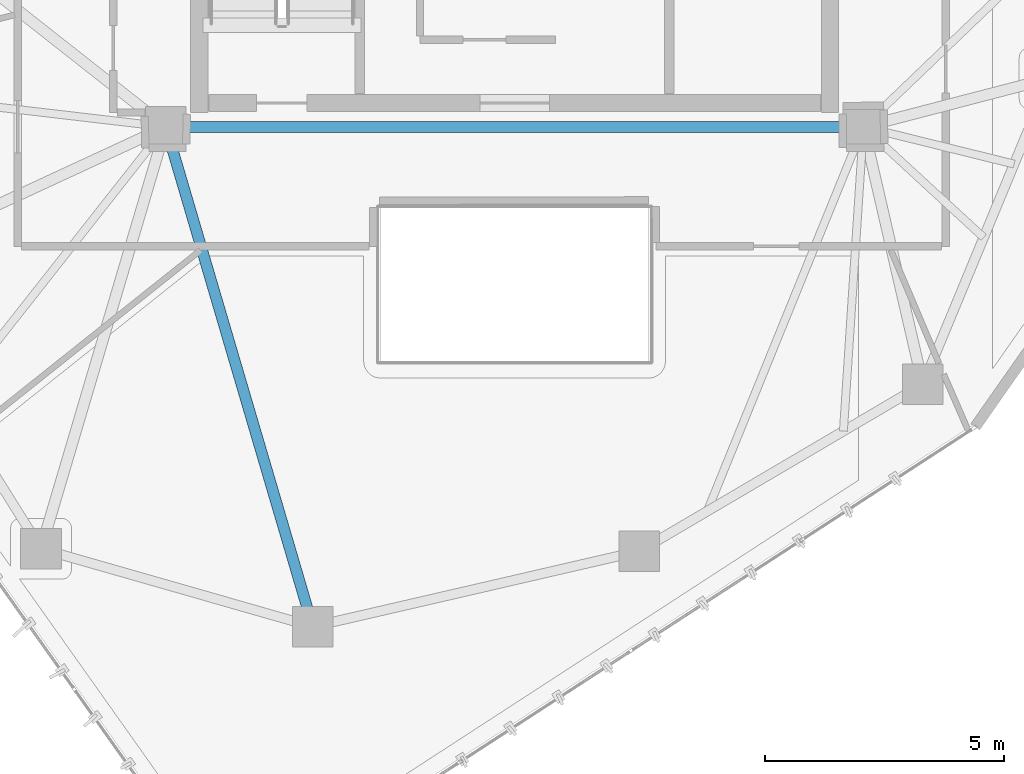
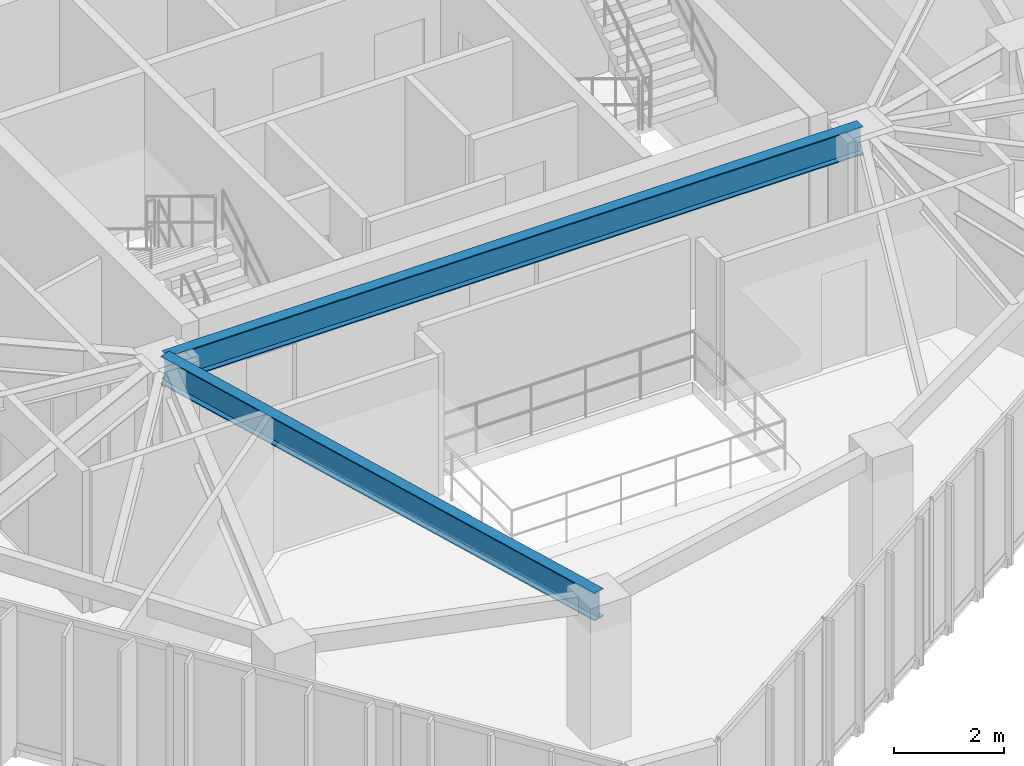
# One storey, part 5 of 20: 2 beams.
"""IFC4 building model written with IfcOpenShell, lengths in metres."""

from ifc_helpers import new_model, si_unit, direction, frame, origin, origin_2d, place, context, subcontext, project, spatial, i_section, extrude, material, material_profile, profile_set, type_object, element, save


model = new_model("IFC4")

# Units and contexts
model_context = context("Model", 3, precision=1e-05, world=origin(), true_north=direction((0.0, 1.0)))
body_context = subcontext(model_context, "Body", "Model", "MODEL_VIEW")
ifc_project = project(units=[si_unit("LENGTHUNIT", "METRE"), si_unit("AREAUNIT", "SQUARE_METRE"), si_unit("VOLUMEUNIT", "CUBIC_METRE"), si_unit("PLANEANGLEUNIT", "RADIAN"), si_unit("MASSUNIT", "GRAM", prefix="KILO")], contexts=[model_context])

# Site, building, storey
site_placement = place(None, origin())
site = spatial("IfcSite", under=ifc_project, at=site_placement, CompositionType="ELEMENT")
building_placement = place(site_placement, origin())
building = spatial("IfcBuilding", under=site, at=building_placement, Name="Talar Marvaseh", CompositionType="ELEMENT")
storey_placement = place(building_placement, frame((0.0, 0.0, 247.60009765625)))
storey = spatial("IfcBuildingStorey", under=building, at=storey_placement, Name="L65", CompositionType="ELEMENT", Elevation=247.60009765625)

# Beams
ifc_material = material(Name="Steel S355", Category="steel")
ifc_material_profile = material_profile(ifc_material, i_section(OverallWidth=0.22998046875, OverallDepth=0.616943359375, WebThickness=0.01318359375, FlangeThickness=0.022216796875, at=origin_2d()), Name="W610x140")
ifc_profile_set = profile_set([ifc_material_profile], Name="Steel S355")
beam_type = type_object("IfcBeamType", Name="Zone 4 Radial Floor Girder W610x140", PredefinedType="BEAM", material=ifc_profile_set)
beam_1_placement = place(storey_placement, frame((18.699951171875, 25.5, 2.831298828125), z_axis=(1.0, 0.0, 0.0), x_axis=(0.0, 1.0, 0.0)))
element("IfcBeam", 1, at=beam_1_placement, inside=storey, type_object=beam_type, Name="L65 Zone 4 Radial Floor Girder W610x140", PredefinedType="BEAM", context=body_context, shape_type="SweptSolid", body=[
    extrude(i_section(OverallWidth=0.22998046875, OverallDepth=0.616943359375, WebThickness=0.01318359375, FlangeThickness=0.022216796875, at=origin_2d()), origin(), (0.0, 0.0, 1.0), 14.60009765625),
])
beam_2_placement = place(storey_placement, frame((21.77587890625, 15.0400390625, 2.831298828125), z_axis=(-0.28212146763, 0.959378693479, 0.0), x_axis=(-0.959378693479, -0.28212146763, 0.0)))
element("IfcBeam", 2, at=beam_2_placement, inside=storey, type_object=beam_type, Name="L65 Zone 4 Radial Floor Girder W610x140", PredefinedType="BEAM", context=body_context, shape_type="SweptSolid", body=[
    extrude(i_section(OverallWidth=0.22998046875, OverallDepth=0.616943359375, WebThickness=0.01318359375, FlangeThickness=0.022216796875, at=origin_2d()), origin(), (0.0, 0.0, 1.0), 10.90283203125),
])

save(model, "model.ifc")
